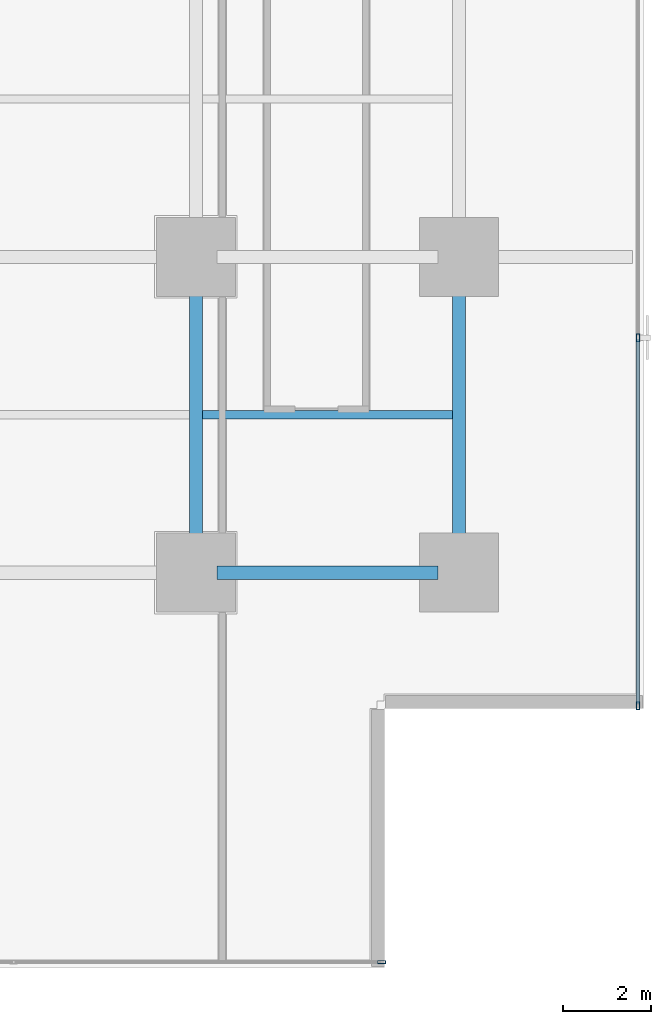
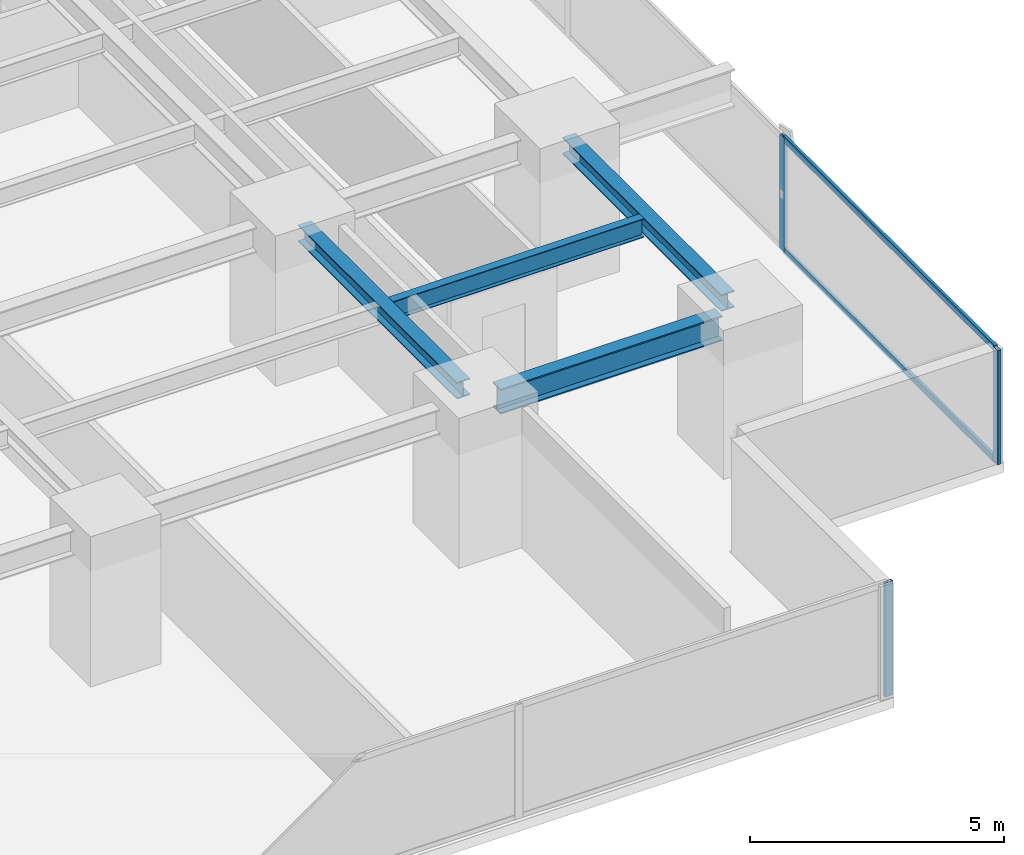
# One storey, part 12 of 32: 5 members, 4 beams, 2 elements without a shape of their own.
"""IFC4 building model written with IfcOpenShell, lengths in metres."""

from ifc_helpers import new_model, si_unit, direction, frame, origin, origin_2d, place, context, subcontext, project, spatial, hollow_rectangle, i_section, extrude, source, transform, mapped, material, layer, layer_set, material_profile, profile_set, type_object, element, aggregate, save


model = new_model("IFC4")

# Units and contexts
model_context = context("Model", 3, precision=1e-05, world=origin(), true_north=direction((0.0, 1.0)))
body_context = subcontext(model_context, "Body", "Model", "MODEL_VIEW")
ifc_project = project(units=[si_unit("LENGTHUNIT", "METRE"), si_unit("AREAUNIT", "SQUARE_METRE"), si_unit("VOLUMEUNIT", "CUBIC_METRE"), si_unit("PLANEANGLEUNIT", "RADIAN"), si_unit("MASSUNIT", "GRAM", prefix="KILO")], contexts=[model_context])

# Site, building, storey
site_placement = place(None, origin())
site = spatial("IfcSite", under=ifc_project, at=site_placement, CompositionType="ELEMENT")
building_placement = place(site_placement, origin())
building = spatial("IfcBuilding", under=site, at=building_placement, Name="Sumidabori Civic Tower", CompositionType="ELEMENT")
storey_placement = place(building_placement, frame((0.0, 0.0, 45.199951171875)))
storey = spatial("IfcBuildingStorey", under=building, at=storey_placement, Name="L11", CompositionType="ELEMENT", Elevation=45.199951171875)

# Beams
ifc_material_1 = material(Name="Steel SN490", Category="steel")
ifc_material_profile_1 = material_profile(ifc_material_1, i_section(OverallWidth=0.300048828125, OverallDepth=0.60009765625, WebThickness=0.015380859375, FlangeThickness=0.030029296875, at=origin_2d()), Name="HE 600 B")
ifc_profile_set_1 = profile_set([ifc_material_profile_1], Name="Steel SN490")
beam_type_1 = type_object("IfcBeamType", Name="BM-GIRD-600", PredefinedType="BEAM", material=ifc_profile_set_1)
shared_shape_1 = source(origin(), body_context, "Body", "SweptSolid", [
    extrude(i_section(OverallWidth=0.300048828125, OverallDepth=0.60009765625, WebThickness=0.015380859375, FlangeThickness=0.030029296875, at=origin_2d()), origin(), (0.0, 0.0, 1.0), 5.0400390625),
])
beam_1_placement = place(storey_placement, frame((17.280029296875, -18.0, 3.06005859375), z_axis=(1.0, 0.0, 0.0), x_axis=(0.0, 1.0, 0.0)))
element("IfcBeam", 1, at=beam_1_placement, inside=storey, type_object=beam_type_1, Name="Primary Girder L11 GX-06", PredefinedType="BEAM", context=body_context, shape_type="MappedRepresentation", body=[
    mapped(shared_shape_1, transform((0.0, 0.0, 0.0), x_axis=(1.0, 0.0, 0.0), y_axis=(0.0, 1.0, 0.0), z_axis=(0.0, 0.0, 1.0), scale=1.0)),
])
ifc_material_profile_2 = material_profile(ifc_material_1, i_section(OverallWidth=0.300048828125, OverallDepth=0.39990234375, WebThickness=0.013427734375, FlangeThickness=0.02392578125, at=origin_2d()), Name="HE 400 B")
ifc_profile_set_2 = profile_set([ifc_material_profile_2], Name="Steel SN490")
beam_type_2 = type_object("IfcBeamType", Name="BM-GIRD-400", PredefinedType="BEAM", material=ifc_profile_set_2)
shared_shape_2 = source(origin(), body_context, "Body", "SweptSolid", [
    extrude(i_section(OverallWidth=0.300048828125, OverallDepth=0.39990234375, WebThickness=0.013427734375, FlangeThickness=0.02392578125, at=origin_2d()), origin(), (0.0, 0.0, 1.0), 6.239990234375),
])
for number, where, z_axis, x_axis, name in (
    (2, (16.800048828125, -17.52001953125, 3.16015625), (0.0, 1.0, 0.0), (-1.0, 0.0, 0.0), "Primary Girder L11 GY-35"),
    (3, (22.800048828125, -17.52001953125, 3.16015625), (0.0, 1.0, 0.0), (-1.0, 0.0, 0.0), "Primary Girder L11 GY-39"),
):
    element("IfcBeam", number, at=place(storey_placement, frame(where, z_axis=z_axis, x_axis=x_axis)), inside=storey, type_object=beam_type_2, Name=name, PredefinedType="BEAM", context=body_context, shape_type="MappedRepresentation", body=[
        mapped(shared_shape_2, transform((0.0, 0.0, 0.0), x_axis=(1.0, 0.0, 0.0), y_axis=(0.0, 1.0, 0.0), z_axis=(0.0, 0.0, 1.0), scale=1.0)),
    ])
ifc_material_profile_3 = material_profile(ifc_material_1, i_section(OverallWidth=0.18994140625, OverallDepth=0.449951171875, WebThickness=0.009521484375, FlangeThickness=0.0146484375, at=origin_2d()), Name="IPE 450")
ifc_profile_set_3 = profile_set([ifc_material_profile_3], Name="Steel SN490")
beam_type_3 = type_object("IfcBeamType", Name="BM-JST-450", PredefinedType="JOIST", material=ifc_profile_set_3)
shared_shape_3 = source(origin(), body_context, "Body", "SweptSolid", [
    extrude(i_section(OverallWidth=0.18994140625, OverallDepth=0.449951171875, WebThickness=0.009521484375, FlangeThickness=0.0146484375, at=origin_2d()), origin(), (0.0, 0.0, 1.0), 5.699951171875),
])
beam_2_placement = place(storey_placement, frame((16.949951171875, -14.39990234375, 3.135009765625), z_axis=(1.0, 0.0, 0.0), x_axis=(0.0, 1.0, 0.0)))
element("IfcBeam", 4, at=beam_2_placement, inside=storey, type_object=beam_type_3, Name="Outer Bay Floor Joist L11 JSTO-58", PredefinedType="JOIST", context=body_context, shape_type="MappedRepresentation", body=[
    mapped(shared_shape_3, transform((0.0, 0.0, 0.0), x_axis=(1.0, 0.0, 0.0), y_axis=(0.0, 1.0, 0.0), z_axis=(0.0, 0.0, 1.0), scale=1.0)),
])

# Curtain wall, member
ifc_material_2 = material(Name="Anodised Bronze Aluminium AW-6063-T6", Category="aluminium")
ifc_layer = layer(ifc_material_2, 0.179931640625, Name="Anodised Bronze Aluminium AW-6063-T6")
ifc_layer_set = layer_set([ifc_layer], Name="Anodised Bronze Aluminium AW-6063-T6")
curtain_wall_type = type_object("IfcCurtainWallType", Name="CW-SYS-2", PredefinedType="NOTDEFINED", material=ifc_layer_set)
curtain_wall_1_placement = place(storey_placement, origin())
curtain_wall_1 = element("IfcCurtainWall", 5, at=curtain_wall_1_placement, inside=storey, type_object=curtain_wall_type, Name="Curtain Wall CW:L11:R01", PredefinedType="NOTDEFINED")
ifc_material_profile_4 = material_profile(ifc_material_2, hollow_rectangle(XDim=0.070068359375, YDim=0.179931640625, WallThickness=0.006103515625, at=origin_2d()), Name="ALU MULLION 180x70")
ifc_profile_set_4 = profile_set([ifc_material_profile_4], Name="Anodised Bronze Aluminium AW-6063-T6")
member_type_1 = type_object("IfcMemberType", Name="CW-MUL-180", PredefinedType="MULLION", material=ifc_profile_set_4)
shared_shape_4 = source(origin(), body_context, "Body", "SweptSolid", [
    extrude(hollow_rectangle(XDim=0.070068359375, YDim=0.179931640625, WallThickness=0.006103515625, at=origin_2d()), origin(), (0.0, 0.0, 1.0), 2.739990234375),
])
member_1_placement = place(storey_placement, frame((21.034912109375, -26.8798828125, 0.0), z_axis=(0.0, 0.0, 1.0), x_axis=(0.0, 1.0, 0.0)))
member_1 = element("IfcMember", 6, at=member_1_placement, type_object=member_type_1, Name="CW-2 mullion 6", PredefinedType="MULLION", context=body_context, shape_type="MappedRepresentation", body=[
    mapped(shared_shape_4, transform((0.0, 0.0, 0.0), x_axis=(1.0, 0.0, 0.0), y_axis=(0.0, 1.0, 0.0), z_axis=(0.0, 0.0, 1.0), scale=1.0)),
])
aggregate(curtain_wall_1, [member_1])

# Curtain wall, members
curtain_wall_2_placement = place(storey_placement, origin())
curtain_wall_2 = element("IfcCurtainWall", 7, at=curtain_wall_2_placement, inside=storey, type_object=curtain_wall_type, Name="Curtain Wall CW:L11:R04", PredefinedType="NOTDEFINED")
member_2_placement = place(storey_placement, frame((26.8798828125, -21.034912109375, 0.0), z_axis=(0.0, 0.0, 1.0), x_axis=(-1.0, 0.0, 0.0)))
member_2 = element("IfcMember", 8, at=member_2_placement, type_object=member_type_1, Name="CW-2 mullion 1", PredefinedType="MULLION", context=body_context, shape_type="MappedRepresentation", body=[
    mapped(shared_shape_4, transform((0.0, 0.0, 0.0), x_axis=(1.0, 0.0, 0.0), y_axis=(0.0, 1.0, 0.0), z_axis=(0.0, 0.0, 1.0), scale=1.0)),
])
member_3_placement = place(storey_placement, frame((26.8798828125, -12.64208984375, 0.0), z_axis=(0.0, 0.0, 1.0), x_axis=(-1.0, 0.0, 0.0)))
member_3 = element("IfcMember", 9, at=member_3_placement, type_object=member_type_1, Name="CW-2 mullion 2", PredefinedType="MULLION", context=body_context, shape_type="MappedRepresentation", body=[
    mapped(shared_shape_4, transform((0.0, 0.0, 0.0), x_axis=(1.0, 0.0, 0.0), y_axis=(0.0, 1.0, 0.0), z_axis=(0.0, 0.0, 1.0), scale=1.0)),
])
ifc_material_profile_5 = material_profile(ifc_material_2, hollow_rectangle(XDim=0.06494140625, YDim=0.14990234375, WallThickness=0.0048828125, at=origin_2d()), Name="ALU TRANSOM 150x65")
ifc_profile_set_5 = profile_set([ifc_material_profile_5], Name="Anodised Bronze Aluminium AW-6063-T6")
member_type_2 = type_object("IfcMemberType", Name="CW-TRN-150", PredefinedType="USERDEFINED", material=ifc_profile_set_5)
shared_shape_5 = source(origin(), body_context, "Body", "SweptSolid", [
    extrude(hollow_rectangle(XDim=0.06494140625, YDim=0.14990234375, WallThickness=0.0048828125, at=origin_2d()), origin(), (0.0, 0.0, 1.0), 8.322998046875),
])
member_4_placement = place(storey_placement, frame((26.8798828125, -21.0, 0.032470703125), z_axis=(0.0, 1.0, 0.0), x_axis=(-1.0, 0.0, 0.0)))
member_4 = element("IfcMember", 10, at=member_4_placement, type_object=member_type_2, Name="CW-2 transom 1.1", ObjectType="TRANSOM", PredefinedType="USERDEFINED", context=body_context, shape_type="MappedRepresentation", body=[
    mapped(shared_shape_5, transform((0.0, 0.0, 0.0), x_axis=(1.0, 0.0, 0.0), y_axis=(0.0, 1.0, 0.0), z_axis=(0.0, 0.0, 1.0), scale=1.0)),
])
member_5_placement = place(storey_placement, frame((26.8798828125, -21.0, 2.70751953125), z_axis=(0.0, 1.0, 0.0), x_axis=(-1.0, 0.0, 0.0)))
member_5 = element("IfcMember", 11, at=member_5_placement, type_object=member_type_2, Name="CW-2 transom 1.2", ObjectType="TRANSOM", PredefinedType="USERDEFINED", context=body_context, shape_type="MappedRepresentation", body=[
    mapped(shared_shape_5, transform((0.0, 0.0, 0.0), x_axis=(1.0, 0.0, 0.0), y_axis=(0.0, 1.0, 0.0), z_axis=(0.0, 0.0, 1.0), scale=1.0)),
])
aggregate(curtain_wall_2, [member_2, member_3, member_4, member_5])

save(model, "model.ifc")
